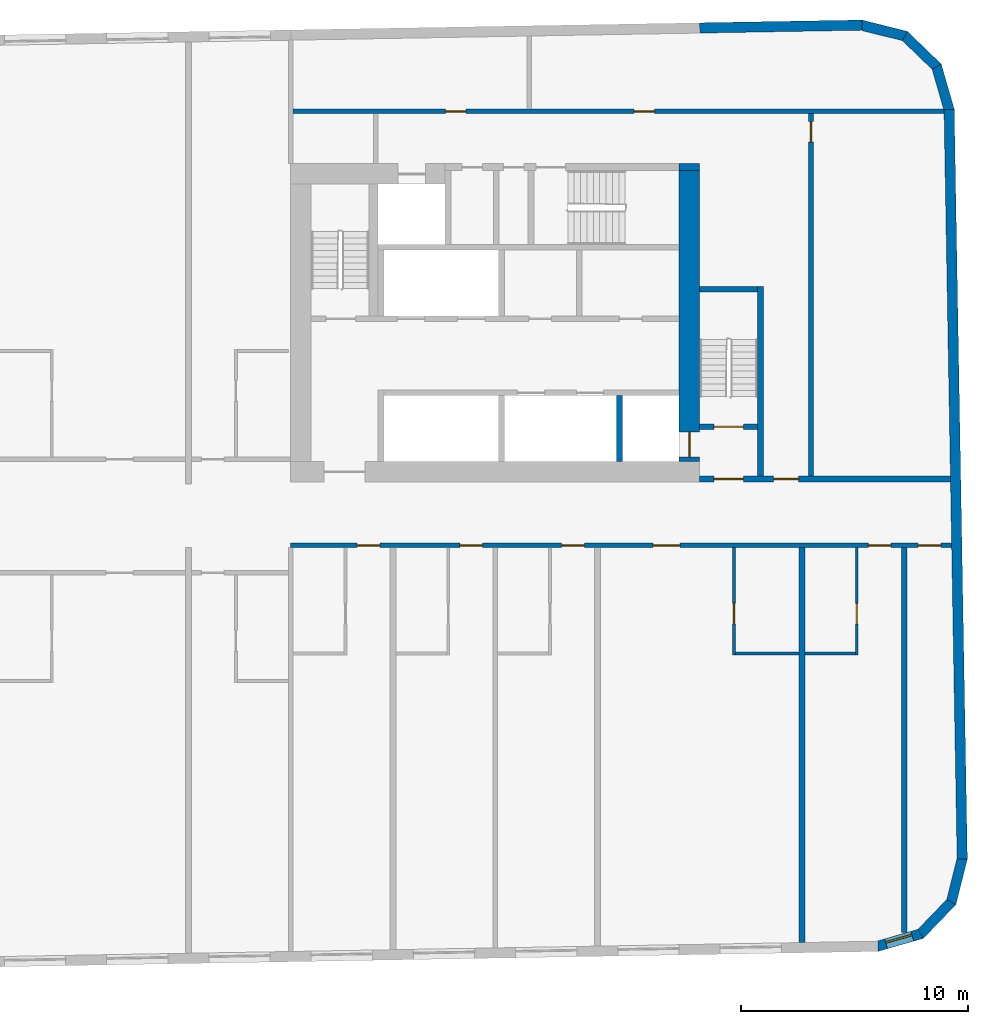
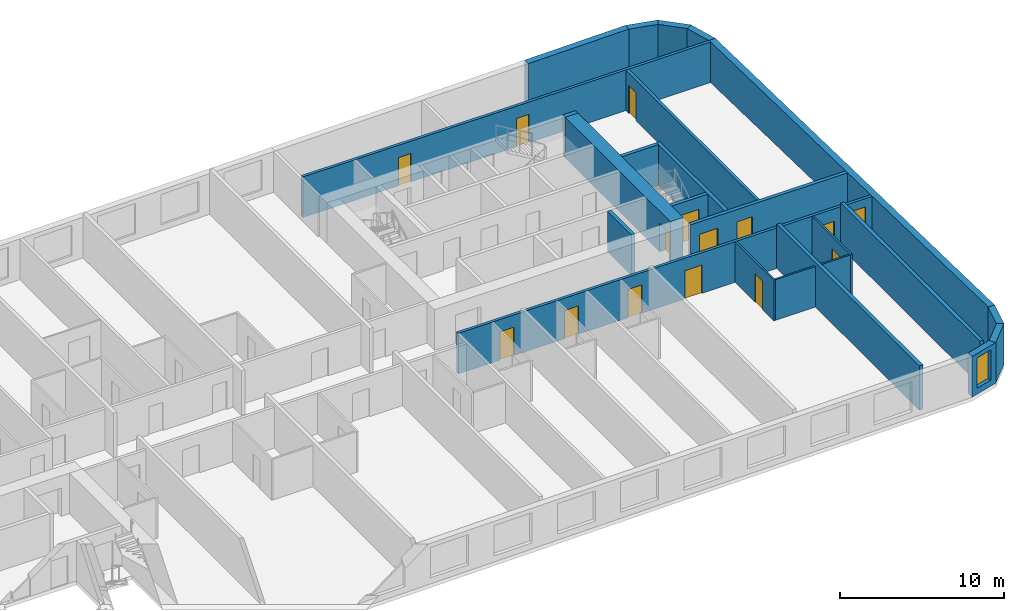
# One storey, part 7 of 11: 24 walls, 15 doors, 1 window, 16 openings.
"""IFC4 building model written with IfcOpenShell, lengths in metres."""

from ifc_helpers import new_model, si_unit, direction, frame, frame_2d, origin, place, context, subcontext, project, spatial, polyline, rectangle, outline, extrude, material, layer, layer_set, type_object, element, fill, save


model = new_model("IFC4")

# Units and contexts
model_context = context("Model", 3, precision=1e-05, world=origin(), true_north=direction((0.0, 1.0)))
body_context = subcontext(model_context, "Body", "Model", "MODEL_VIEW")
ifc_project = project(units=[si_unit("LENGTHUNIT", "METRE"), si_unit("AREAUNIT", "SQUARE_METRE"), si_unit("VOLUMEUNIT", "CUBIC_METRE"), si_unit("PLANEANGLEUNIT", "RADIAN"), si_unit("MASSUNIT", "GRAM", prefix="KILO")], contexts=[model_context])

# Site, building, storey
site_placement = place(None, origin())
site = spatial("IfcSite", under=ifc_project, at=site_placement, CompositionType="ELEMENT")
building_placement = place(site_placement, origin())
building = spatial("IfcBuilding", under=site, at=building_placement, Name="Kajstack Hotel Tower", CompositionType="ELEMENT")
storey_placement = place(building_placement, frame((0.0, 0.0, 250.699951171875)))
storey = spatial("IfcBuildingStorey", under=building, at=storey_placement, Name="L62", CompositionType="ELEMENT", Elevation=250.699951171875)

# Wall
ifc_material_1 = material(Name="Concrete C60/75", Category="concrete")
ifc_layer_1 = layer(ifc_material_1, 0.89990234375)
ifc_layer_set_1 = layer_set([ifc_layer_1], Name="Core wall 900")
wall_type_1 = type_object("IfcWallType", Name="Core wall 900", PredefinedType="SHEAR", material=ifc_layer_set_1)
wall_1_placement = place(storey_placement, frame((30.60009765625, 15.35009765625, 0.0), z_axis=(0.0, 0.0, 1.0), x_axis=(1.0, 0.0, 0.0)))
element("IfcWall", 1, at=wall_1_placement, inside=storey, type_object=wall_type_1, Name="Core wall E RSW", PredefinedType="SHEAR", context=body_context, shape_type="SweptSolid", body=[
    extrude(rectangle(XDim=0.89990234375, YDim=0.300048828125, at=frame_2d((0.449951171875, 0.0))), origin(), (0.0, 0.0, 1.0), 3.02001953125),
])

# Wall, opening, door
wall_2_placement = place(storey_placement, frame((31.050048828125, 2.39990234375, 0.0), z_axis=(0.0, 0.0, 1.0), x_axis=(0.0, 1.0, 0.0)))
wall_2 = element("IfcWall", 2, at=wall_2_placement, inside=storey, type_object=wall_type_1, Name="Core wall E RW", PredefinedType="SHEAR", context=body_context, shape_type="SweptSolid", body=[
    extrude(rectangle(XDim=12.800048828125, YDim=0.89990234375, at=frame_2d((6.39990234375, 0.0))), origin(), (0.0, 0.0, 1.0), 3.02001953125),
])
opening_1_placement = place(wall_2_placement, frame((0.199951171875, 0.0, 0.0)))
opening_1 = element("IfcOpeningElement", 3, at=opening_1_placement, cuts=wall_2, Name="Opening LD-FF2", PredefinedType="OPENING", context=body_context, shape_type="SweptSolid", body=[
    extrude(rectangle(XDim=1.10009765625, YDim=2.10009765625, at=frame_2d((0.550048828125, 1.050048828125))), frame((0.0, 0.4599609375, 0.0), z_axis=(0.0, -1.0, 0.0), x_axis=(1.0, 0.0, 0.0)), (0.0, 0.0, 1.0), 0.919921875),
])
ifc_material_2 = material(Name="Stainless steel", Category="steel")
door_type_1 = type_object("IfcDoorType", Name="Fire-fighting lift landing door 1100", OperationType="SLIDING_TO_LEFT", PredefinedType="DOOR", material=ifc_material_2)
door_1_placement = place(opening_1_placement, origin())
door_1 = element("IfcDoor", 4, at=door_1_placement, inside=storey, type_object=door_type_1, Name="Landing door FF2", OperationType="SLIDING_TO_LEFT", OverallHeight=2.10009765625, OverallWidth=1.10009765625, PredefinedType="DOOR", context=body_context, shape_type="SweptSolid", body=[
    extrude(rectangle(XDim=1.10009765625, YDim=2.10009765625, at=frame_2d((0.550048828125, 1.050048828125))), frame((0.0, 0.02490234375, 0.0), z_axis=(0.0, -1.0, 0.0), x_axis=(1.0, 0.0, 0.0)), (0.0, 0.0, 1.0), 0.050048828125),
])
fill(opening_1, door_1)

# Wall, openings, doors
ifc_material_3 = material(Name="Gypsum board on steel studs, mineral wool", Category="steel")
ifc_layer_2 = layer(ifc_material_3, 0.199951171875)
ifc_layer_set_2 = layer_set([ifc_layer_2], Name="Corridor wall 200")
wall_type_2 = type_object("IfcWallType", Name="Corridor wall 200", PredefinedType="PARTITIONING", material=ifc_layer_set_2)
wall_3_placement = place(storey_placement, frame((13.5, -1.300048828125, 0.0), z_axis=(0.0, 0.0, 1.0), x_axis=(1.0, 0.0, 0.0)))
wall_3 = element("IfcWall", 5, at=wall_3_placement, inside=storey, type_object=wall_type_2, Name="G-wall-L62-029", PredefinedType="PARTITIONING", context=body_context, shape_type="SweptSolid", body=[
    extrude(rectangle(XDim=29.091064453125, YDim=0.199951171875, at=frame_2d((14.54541015625, 0.0))), origin(), (0.0, 0.0, 1.0), 3.02001953125),
])
opening_2_placement = place(wall_3_placement, frame((2.925048828125, 0.0, 0.0)))
opening_2 = element("IfcOpeningElement", 6, at=opening_2_placement, cuts=wall_3, Name="Opening 62029", PredefinedType="OPENING", context=body_context, shape_type="SweptSolid", body=[
    extrude(rectangle(XDim=1.0, YDim=2.10009765625, at=frame_2d((0.5, 1.050048828125))), frame((0.0, 0.10986328125, 0.0), z_axis=(0.0, -1.0, 0.0), x_axis=(1.0, 0.0, 0.0)), (0.0, 0.0, 1.0), 0.219970703125),
])
opening_3_placement = place(wall_3_placement, frame((7.449951171875, 0.0, 0.0)))
opening_3 = element("IfcOpeningElement", 7, at=opening_3_placement, cuts=wall_3, Name="Opening 62031", PredefinedType="OPENING", context=body_context, shape_type="SweptSolid", body=[
    extrude(rectangle(XDim=1.0, YDim=2.10009765625, at=frame_2d((0.5, 1.050048828125))), frame((0.0, 0.10986328125, 0.0), z_axis=(0.0, -1.0, 0.0), x_axis=(1.0, 0.0, 0.0)), (0.0, 0.0, 1.0), 0.219970703125),
])
opening_4_placement = place(wall_3_placement, frame((11.925048828125, 0.0, 0.0)))
opening_4 = element("IfcOpeningElement", 8, at=opening_4_placement, cuts=wall_3, Name="Opening 62033", PredefinedType="OPENING", context=body_context, shape_type="SweptSolid", body=[
    extrude(rectangle(XDim=1.0, YDim=2.10009765625, at=frame_2d((0.5, 1.050048828125))), frame((0.0, 0.10986328125, 0.0), z_axis=(0.0, -1.0, 0.0), x_axis=(1.0, 0.0, 0.0)), (0.0, 0.0, 1.0), 0.219970703125),
])
opening_5_placement = place(wall_3_placement, frame((15.93798828125, 0.0, 0.0)))
opening_5 = element("IfcOpeningElement", 9, at=opening_5_placement, cuts=wall_3, Name="Opening 62035", PredefinedType="OPENING", context=body_context, shape_type="SweptSolid", body=[
    extrude(rectangle(XDim=1.199951171875, YDim=2.10009765625, at=frame_2d((0.60009765625, 1.050048828125))), frame((0.0, 0.10986328125, 0.0), z_axis=(0.0, -1.0, 0.0), x_axis=(1.0, 0.0, 0.0)), (0.0, 0.0, 1.0), 0.219970703125),
])
opening_6_placement = place(wall_3_placement, frame((25.425048828125, 0.0, 0.0)))
opening_6 = element("IfcOpeningElement", 10, at=opening_6_placement, cuts=wall_3, Name="Opening 62037", PredefinedType="OPENING", context=body_context, shape_type="SweptSolid", body=[
    extrude(rectangle(XDim=1.0, YDim=2.10009765625, at=frame_2d((0.5, 1.050048828125))), frame((0.0, 0.10986328125, 0.0), z_axis=(0.0, -1.0, 0.0), x_axis=(1.0, 0.0, 0.0)), (0.0, 0.0, 1.0), 0.219970703125),
])
opening_7_placement = place(wall_3_placement, frame((27.611083984375, 0.0, 0.0)))
opening_7 = element("IfcOpeningElement", 11, at=opening_7_placement, cuts=wall_3, Name="Opening 62039", PredefinedType="OPENING", context=body_context, shape_type="SweptSolid", body=[
    extrude(rectangle(XDim=1.0, YDim=2.39990234375, at=frame_2d((0.5, 1.199951171875))), frame((0.0, 0.10986328125, 0.0), z_axis=(0.0, -1.0, 0.0), x_axis=(1.0, 0.0, 0.0)), (0.0, 0.0, 1.0), 0.219970703125),
])
ifc_material_4 = material(Name="Oak veneer on timber core, fire-rated leaf", Category="wood")
door_type_2 = type_object("IfcDoorType", Name="Flat entrance door 1000", OperationType="SINGLE_SWING_LEFT", PredefinedType="DOOR", material=ifc_material_4)
door_2_placement = place(opening_2_placement, origin())
door_2 = element("IfcDoor", 12, at=door_2_placement, inside=storey, type_object=door_type_2, Name="G-door-L62-29", OperationType="SINGLE_SWING_LEFT", OverallHeight=2.10009765625, OverallWidth=1.0, PredefinedType="DOOR", context=body_context, shape_type="SweptSolid", body=[
    extrude(rectangle(XDim=1.0, YDim=2.10009765625, at=frame_2d((0.5, 1.050048828125))), frame((0.0, 0.02490234375, 0.0), z_axis=(0.0, -1.0, 0.0), x_axis=(1.0, 0.0, 0.0)), (0.0, 0.0, 1.0), 0.050048828125),
])
fill(opening_2, door_2)
door_3_placement = place(opening_3_placement, origin())
door_3 = element("IfcDoor", 13, at=door_3_placement, inside=storey, type_object=door_type_2, Name="G-door-L62-31", OperationType="SINGLE_SWING_LEFT", OverallHeight=2.10009765625, OverallWidth=1.0, PredefinedType="DOOR", context=body_context, shape_type="SweptSolid", body=[
    extrude(rectangle(XDim=1.0, YDim=2.10009765625, at=frame_2d((0.5, 1.050048828125))), frame((0.0, 0.02490234375, 0.0), z_axis=(0.0, -1.0, 0.0), x_axis=(1.0, 0.0, 0.0)), (0.0, 0.0, 1.0), 0.050048828125),
])
fill(opening_3, door_3)
door_4_placement = place(opening_4_placement, origin())
door_4 = element("IfcDoor", 14, at=door_4_placement, inside=storey, type_object=door_type_2, Name="G-door-L62-33", OperationType="SINGLE_SWING_RIGHT", OverallHeight=2.10009765625, OverallWidth=1.0, PredefinedType="DOOR", context=body_context, shape_type="SweptSolid", body=[
    extrude(rectangle(XDim=1.0, YDim=2.10009765625, at=frame_2d((0.5, 1.050048828125))), frame((0.0, 0.02490234375, 0.0), z_axis=(0.0, -1.0, 0.0), x_axis=(1.0, 0.0, 0.0)), (0.0, 0.0, 1.0), 0.050048828125),
])
fill(opening_4, door_4)
door_5_placement = place(opening_6_placement, origin())
door_5 = element("IfcDoor", 15, at=door_5_placement, inside=storey, type_object=door_type_2, Name="G-door-L62-37", OperationType="SINGLE_SWING_LEFT", OverallHeight=2.10009765625, OverallWidth=1.0, PredefinedType="DOOR", context=body_context, shape_type="SweptSolid", body=[
    extrude(rectangle(XDim=1.0, YDim=2.10009765625, at=frame_2d((0.5, 1.050048828125))), frame((0.0, 0.02490234375, 0.0), z_axis=(0.0, -1.0, 0.0), x_axis=(1.0, 0.0, 0.0)), (0.0, 0.0, 1.0), 0.050048828125),
])
fill(opening_6, door_5)
door_type_3 = type_object("IfcDoorType", Name="Flat entrance door 1200", OperationType="SINGLE_SWING_LEFT", PredefinedType="DOOR", material=ifc_material_4)
door_6_placement = place(opening_5_placement, origin())
door_6 = element("IfcDoor", 16, at=door_6_placement, inside=storey, type_object=door_type_3, Name="G-door-L62-35", OperationType="SINGLE_SWING_LEFT", OverallHeight=2.10009765625, OverallWidth=1.199951171875, PredefinedType="DOOR", context=body_context, shape_type="SweptSolid", body=[
    extrude(rectangle(XDim=1.199951171875, YDim=2.10009765625, at=frame_2d((0.60009765625, 1.050048828125))), frame((0.0, 0.02490234375, 0.0), z_axis=(0.0, -1.0, 0.0), x_axis=(1.0, 0.0, 0.0)), (0.0, 0.0, 1.0), 0.050048828125),
])
fill(opening_5, door_6)
ifc_material_5 = material(Name="Steel-faced door leaf, fire-rated", Category="steel")
door_type_4 = type_object("IfcDoorType", Name="Store door 1000", OperationType="SINGLE_SWING_LEFT", PredefinedType="DOOR", material=ifc_material_5)
door_7_placement = place(opening_7_placement, origin())
door_7 = element("IfcDoor", 17, at=door_7_placement, inside=storey, type_object=door_type_4, Name="G-door-L62-39", OperationType="SINGLE_SWING_LEFT", OverallHeight=2.39990234375, OverallWidth=1.0, PredefinedType="DOOR", context=body_context, shape_type="SweptSolid", body=[
    extrude(rectangle(XDim=1.0, YDim=2.39990234375, at=frame_2d((0.5, 1.199951171875))), frame((0.0, 0.02490234375, 0.0), z_axis=(0.0, -1.0, 0.0), x_axis=(1.0, 0.0, 0.0)), (0.0, 0.0, 1.0), 0.050048828125),
])
fill(opening_7, door_7)

# Wall, opening, window
ifc_material_6 = material(Name="Terracotta-faced brick masonry", Category="masonry")
ifc_layer_3 = layer(ifc_material_6, 0.449951171875)
ifc_layer_set_3 = layer_set([ifc_layer_3], Name="EW-TERRA")
wall_type_3 = type_object("IfcWallType", Name="EW-TERRA", PredefinedType="SOLIDWALL", material=ifc_layer_set_3)
wall_4_placement = place(storey_placement, frame((39.290283203125, -18.952392578125, 0.0), z_axis=(0.0, 0.0, 1.0), x_axis=(0.961247584925, 0.275686562016, 0.0)))
wall_4 = element("IfcWall", 18, at=wall_4_placement, inside=storey, type_object=wall_type_3, Name="E-wall-L62-05-00", PredefinedType="SOLIDWALL", context=body_context, shape_type="SweptSolid", body=[
    extrude(outline(polyline([(0.0, -0.224853515625), (2.070556640625, -0.22509765625), (1.949951171875, 0.224853515625), (0.12060546875, 0.22509765625), (0.0, -0.224853515625)])), origin(), (0.0, 0.0, 1.0), 3.02001953125),
])
opening_8_placement = place(wall_4_placement, frame((0.435302734375, 0.0, 0.449951171875)))
opening_8 = element("IfcOpeningElement", 19, at=opening_8_placement, cuts=wall_4, Name="Opening W3", PredefinedType="OPENING", context=body_context, shape_type="SweptSolid", body=[
    extrude(rectangle(XDim=1.199951171875, YDim=2.25, at=frame_2d((0.60009765625, 1.125))), frame((0.0, 0.23486328125, 0.0), z_axis=(0.0, -1.0, 0.0), x_axis=(1.0, 0.0, 0.0)), (0.0, 0.0, 1.0), 0.469970703125),
])
ifc_material_7 = material(Name="Timber-aluminium window, triple glazed", Category="wood")
window_type = type_object("IfcWindowType", Name="WG3", PartitioningType="SINGLE_PANEL", PredefinedType="WINDOW", material=ifc_material_7)
window_placement = place(opening_8_placement, origin())
window = element("IfcWindow", 20, at=window_placement, inside=storey, type_object=window_type, Name="Window W3 L62-05", OverallHeight=2.25, OverallWidth=1.199951171875, PartitioningType="SINGLE_PANEL", PredefinedType="WINDOW", context=body_context, shape_type="SweptSolid", body=[
    extrude(rectangle(XDim=1.199951171875, YDim=2.25, at=frame_2d((0.60009765625, 1.125))), frame((0.0, 0.090087890625, 0.0), z_axis=(0.0, -1.0, 0.0), x_axis=(1.0, 0.0, 0.0)), (0.0, 0.0, 1.0), 0.06005859375),
])
fill(opening_8, window)

# Walls
wall_5_placement = place(storey_placement, frame((41.1806640625, -18.441650390625, 0.0), z_axis=(0.0, 0.0, 1.0), x_axis=(0.694678672846, 0.719320193998, 0.0)))
element("IfcWall", 21, at=wall_5_placement, inside=storey, type_object=wall_type_3, Name="E-wall-L62-06-00", PredefinedType="SOLIDWALL", context=body_context, shape_type="SweptSolid", body=[
    extrude(outline(polyline([(0.0, -0.22509765625), (2.07080078125, -0.224853515625), (1.9501953125, 0.22509765625), (0.12060546875, 0.22509765625), (0.0, -0.22509765625)])), origin(), (0.0, 0.0, 1.0), 3.02001953125),
])
wall_6_placement = place(storey_placement, frame((42.562744140625, -17.053955078125, 0.0), z_axis=(0.0, 0.0, 1.0), x_axis=(0.241841950319, 0.970315655375, 0.0)))
element("IfcWall", 22, at=wall_6_placement, inside=storey, type_object=wall_type_3, Name="E-wall-L62-07-00", PredefinedType="SOLIDWALL", context=body_context, shape_type="SweptSolid", body=[
    extrude(outline(polyline([(0.0, -0.224853515625), (2.070556640625, -0.22509765625), (1.949951171875, 0.224853515625), (0.12060546875, 0.22509765625), (0.0, -0.224853515625)])), origin(), (0.0, 0.0, 1.0), 3.02001953125),
])
wall_7_placement = place(storey_placement, frame((43.056884765625, -15.103271484375, 0.0), z_axis=(0.0, 0.0, 1.0), x_axis=(-0.017452408953, 0.999847695112, 0.0)))
element("IfcWall", 23, at=wall_7_placement, inside=storey, type_object=wall_type_3, Name="E-wall-L62-08-00", PredefinedType="SOLIDWALL", context=body_context, shape_type="SweptSolid", body=[
    extrude(rectangle(XDim=33.0, YDim=0.449951171875, at=frame_2d((16.5, 0.0))), origin(), (0.0, 0.0, 1.0), 3.02001953125),
])
wall_8_placement = place(storey_placement, frame((42.489501953125, 17.83349609375, 0.0), z_axis=(0.0, 0.0, 1.0), x_axis=(-0.275546368831, 0.961287781377, 0.0)))
element("IfcWall", 24, at=wall_8_placement, inside=storey, type_object=wall_type_3, Name="E-wall-L62-09-00", PredefinedType="SOLIDWALL", context=body_context, shape_type="SweptSolid", body=[
    extrude(outline(polyline([(0.0, -0.22509765625), (2.070556640625, -0.224853515625), (1.949951171875, 0.22509765625), (0.12060546875, 0.224853515625), (0.0, -0.22509765625)])), origin(), (0.0, 0.0, 1.0), 3.02001953125),
])
wall_9_placement = place(storey_placement, frame((41.97900390625, 19.72412109375, 0.0), z_axis=(0.0, 0.0, 1.0), x_axis=(-0.719379111448, 0.694617660308, 0.0)))
element("IfcWall", 25, at=wall_9_placement, inside=storey, type_object=wall_type_3, Name="E-wall-L62-10-00", PredefinedType="SOLIDWALL", context=body_context, shape_type="SweptSolid", body=[
    extrude(outline(polyline([(0.0, -0.224853515625), (2.070556640625, -0.22509765625), (1.949951171875, 0.224853515625), (0.12060546875, 0.22509765625), (0.0, -0.224853515625)])), origin(), (0.0, 0.0, 1.0), 3.02001953125),
])
wall_10_placement = place(storey_placement, frame((40.59130859375, 21.10595703125, 0.0), z_axis=(0.0, 0.0, 1.0), x_axis=(-0.970287979719, 0.241952963225, 0.0)))
element("IfcWall", 26, at=wall_10_placement, inside=storey, type_object=wall_type_3, Name="E-wall-L62-11-00", PredefinedType="SOLIDWALL", context=body_context, shape_type="SweptSolid", body=[
    extrude(outline(polyline([(0.0, -0.22509765625), (2.070556640625, -0.224853515625), (1.949951171875, 0.22509765625), (0.12060546875, 0.224853515625), (0.0, -0.22509765625)])), origin(), (0.0, 0.0, 1.0), 3.02001953125),
])
wall_11_placement = place(storey_placement, frame((38.640625, 21.600341796875, 0.0), z_axis=(0.0, 0.0, 1.0), x_axis=(-0.999847245074, -0.017478172627, 0.0)))
element("IfcWall", 27, at=wall_11_placement, inside=storey, type_object=wall_type_3, Name="E-wall-L62-12-00", PredefinedType="SOLIDWALL", context=body_context, shape_type="SweptSolid", body=[
    extrude(rectangle(XDim=7.1376953125, YDim=0.449951171875, at=frame_2d((3.56884765625, 0.0))), origin(), (0.0, 0.0, 1.0), 3.02001953125),
])

# Wall, opening, door
ifc_material_8 = material(Name="Gypsum board and tiled backer on steel studs", Category="steel")
ifc_layer_4 = layer(ifc_material_8, 0.125)
ifc_layer_set_4 = layer_set([ifc_layer_4], Name="En-suite wall 125")
wall_type_4 = type_object("IfcWallType", Name="En-suite wall 125", PredefinedType="PARTITIONING", material=ifc_layer_set_4)
wall_12_placement = place(storey_placement, frame((33.012939453125, -6.125, 0.0), z_axis=(0.0, 0.0, 1.0), x_axis=(0.0, 1.0, 0.0)))
wall_12 = element("IfcWall", 28, at=wall_12_placement, inside=storey, type_object=wall_type_4, Name="G-wall-L62-046", PredefinedType="PARTITIONING", context=body_context, shape_type="SweptSolid", body=[
    extrude(rectangle(XDim=4.72509765625, YDim=0.125, at=frame_2d((2.362548828125, 0.0))), origin(), (0.0, 0.0, 1.0), 3.02001953125),
])
opening_9_placement = place(wall_12_placement, frame((1.375, 0.0, 0.0)))
opening_9 = element("IfcOpeningElement", 29, at=opening_9_placement, cuts=wall_12, Name="Opening 62036", PredefinedType="OPENING", context=body_context, shape_type="SweptSolid", body=[
    extrude(rectangle(XDim=0.89990234375, YDim=2.10009765625, at=frame_2d((0.449951171875, 1.050048828125))), frame((0.0, 0.072509765625, 0.0), z_axis=(0.0, -1.0, 0.0), x_axis=(1.0, 0.0, 0.0)), (0.0, 0.0, 1.0), 0.14501953125),
])
ifc_material_9 = material(Name="Painted timber door leaf", Category="wood")
door_type_5 = type_object("IfcDoorType", Name="Room door 900", OperationType="SINGLE_SWING_LEFT", PredefinedType="DOOR", material=ifc_material_9)
door_8_placement = place(opening_9_placement, origin())
door_8 = element("IfcDoor", 30, at=door_8_placement, inside=storey, type_object=door_type_5, Name="G-door-L62-36", OperationType="SINGLE_SWING_RIGHT", OverallHeight=2.10009765625, OverallWidth=0.89990234375, PredefinedType="DOOR", context=body_context, shape_type="SweptSolid", body=[
    extrude(rectangle(XDim=0.89990234375, YDim=2.10009765625, at=frame_2d((0.449951171875, 1.050048828125))), frame((0.0, 0.02490234375, 0.0), z_axis=(0.0, -1.0, 0.0), x_axis=(1.0, 0.0, 0.0)), (0.0, 0.0, 1.0), 0.050048828125),
])
fill(opening_9, door_8)

# Wall
wall_13_placement = place(storey_placement, frame((33.074951171875, -6.06201171875, 0.0), z_axis=(0.0, 0.0, 1.0), x_axis=(1.0, 0.0, 0.0)))
element("IfcWall", 31, at=wall_13_placement, inside=storey, type_object=wall_type_4, Name="G-wall-L62-047", PredefinedType="PARTITIONING", context=body_context, shape_type="SweptSolid", body=[
    extrude(rectangle(XDim=2.800048828125, YDim=0.125, at=frame_2d((1.39990234375, 0.0))), origin(), (0.0, 0.0, 1.0), 3.02001953125),
])

# Wall, opening, door
wall_14_placement = place(storey_placement, frame((38.4130859375, -6.125, 0.0), z_axis=(0.0, 0.0, 1.0), x_axis=(0.0, 1.0, 0.0)))
wall_14 = element("IfcWall", 32, at=wall_14_placement, inside=storey, type_object=wall_type_4, Name="G-wall-L62-048", PredefinedType="PARTITIONING", context=body_context, shape_type="SweptSolid", body=[
    extrude(rectangle(XDim=4.72509765625, YDim=0.125, at=frame_2d((2.362548828125, 0.0))), origin(), (0.0, 0.0, 1.0), 3.02001953125),
])
opening_10_placement = place(wall_14_placement, frame((1.375, 0.0, 0.0)))
opening_10 = element("IfcOpeningElement", 33, at=opening_10_placement, cuts=wall_14, Name="Opening 62038", PredefinedType="OPENING", context=body_context, shape_type="SweptSolid", body=[
    extrude(rectangle(XDim=0.89990234375, YDim=2.10009765625, at=frame_2d((0.449951171875, 1.050048828125))), frame((0.0, 0.072509765625, 0.0), z_axis=(0.0, -1.0, 0.0), x_axis=(1.0, 0.0, 0.0)), (0.0, 0.0, 1.0), 0.14501953125),
])
door_9_placement = place(opening_10_placement, origin())
door_9 = element("IfcDoor", 34, at=door_9_placement, inside=storey, type_object=door_type_5, Name="G-door-L62-38", OperationType="SINGLE_SWING_LEFT", OverallHeight=2.10009765625, OverallWidth=0.89990234375, PredefinedType="DOOR", context=body_context, shape_type="SweptSolid", body=[
    extrude(rectangle(XDim=0.89990234375, YDim=2.10009765625, at=frame_2d((0.449951171875, 1.050048828125))), frame((0.0, 0.02490234375, 0.0), z_axis=(0.0, -1.0, 0.0), x_axis=(1.0, 0.0, 0.0)), (0.0, 0.0, 1.0), 0.050048828125),
])
fill(opening_10, door_9)

# Walls
wall_15_placement = place(storey_placement, frame((36.125, -6.06201171875, 0.0), z_axis=(0.0, 0.0, 1.0), x_axis=(1.0, 0.0, 0.0)))
element("IfcWall", 35, at=wall_15_placement, inside=storey, type_object=wall_type_4, Name="G-wall-L62-049", PredefinedType="PARTITIONING", context=body_context, shape_type="SweptSolid", body=[
    extrude(rectangle(XDim=2.22509765625, YDim=0.125, at=frame_2d((1.112548828125, 0.0))), origin(), (0.0, 0.0, 1.0), 3.02001953125),
])
ifc_material_10 = material(Name="Concrete C45/55", Category="concrete")
ifc_layer_5 = layer(ifc_material_10, 0.25)
ifc_layer_set_5 = layer_set([ifc_layer_5], Name="RC cross wall 250 C45/55")
wall_type_5 = type_object("IfcWallType", Name="RC cross wall 250 C45/55", PredefinedType="SHEAR", material=ifc_layer_set_5)
wall_16_placement = place(storey_placement, frame((36.0, -18.764892578125, 0.0), z_axis=(0.0, 0.0, 1.0), x_axis=(0.0, 1.0, 0.0)))
element("IfcWall", 36, at=wall_16_placement, inside=storey, type_object=wall_type_5, Name="S-wall-L62-12", PredefinedType="SHEAR", context=body_context, shape_type="SweptSolid", body=[
    extrude(rectangle(XDim=17.364990234375, YDim=0.25, at=frame_2d((8.6826171875, 0.0))), origin(), (0.0, 0.0, 1.0), 3.300048828125),
])
wall_17_placement = place(storey_placement, frame((40.5, -18.3251953125, 0.0), z_axis=(0.0, 0.0, 1.0), x_axis=(0.0, 1.0, 0.0)))
element("IfcWall", 37, at=wall_17_placement, inside=storey, type_object=wall_type_5, Name="S-wall-L62-13", PredefinedType="SHEAR", context=body_context, shape_type="SweptSolid", body=[
    extrude(rectangle(XDim=16.92529296875, YDim=0.25, at=frame_2d((8.462646484375, 0.0))), origin(), (0.0, 0.0, 1.0), 3.300048828125),
])

# Wall, openings, doors
ifc_layer_6 = layer(ifc_material_3, 0.199951171875)
ifc_layer_set_6 = layer_set([ifc_layer_6], Name="Service partition 200")
wall_type_6 = type_object("IfcWallType", Name="Service partition 200", PredefinedType="PARTITIONING", material=ifc_layer_set_6)
wall_18_placement = place(storey_placement, frame((31.5, 1.625, 0.0), z_axis=(0.0, 0.0, 1.0), x_axis=(1.0, 0.0, 0.0)))
wall_18 = element("IfcWall", 38, at=wall_18_placement, inside=storey, type_object=wall_type_6, Name="Partition E SN", PredefinedType="PARTITIONING", context=body_context, shape_type="SweptSolid", body=[
    extrude(rectangle(XDim=11.039794921875, YDim=0.25, at=frame_2d((5.52001953125, 0.0))), origin(), (0.0, 0.0, 1.0), 3.02001953125),
])
opening_11_placement = place(wall_18_placement, frame((0.625, 0.0, 0.0)))
opening_11 = element("IfcOpeningElement", 39, at=opening_11_placement, cuts=wall_18, Name="Opening 62E08", PredefinedType="OPENING", context=body_context, shape_type="SweptSolid", body=[
    extrude(rectangle(XDim=1.300048828125, YDim=2.10009765625, at=frame_2d((0.64990234375, 1.050048828125))), frame((0.0, 0.135009765625, 0.0), z_axis=(0.0, -1.0, 0.0), x_axis=(1.0, 0.0, 0.0)), (0.0, 0.0, 1.0), 0.27001953125),
])
opening_12_placement = place(wall_18_placement, frame((3.25, 0.0, 0.0)))
opening_12 = element("IfcOpeningElement", 40, at=opening_12_placement, cuts=wall_18, Name="Opening 62E10", PredefinedType="OPENING", context=body_context, shape_type="SweptSolid", body=[
    extrude(rectangle(XDim=1.10009765625, YDim=2.10009765625, at=frame_2d((0.550048828125, 1.050048828125))), frame((0.0, 0.135009765625, 0.0), z_axis=(0.0, -1.0, 0.0), x_axis=(1.0, 0.0, 0.0)), (0.0, 0.0, 1.0), 0.27001953125),
])
ifc_material_11 = material(Name="Steel leaf, fire-rated", Category="steel")
door_type_6 = type_object("IfcDoorType", Name="Fire lobby door 1300", OperationType="SINGLE_SWING_LEFT", PredefinedType="DOOR", material=ifc_material_11)
door_10_placement = place(opening_11_placement, origin())
door_10 = element("IfcDoor", 41, at=door_10_placement, inside=storey, type_object=door_type_6, Name="Door 62E08", OperationType="SINGLE_SWING_LEFT", OverallHeight=2.10009765625, OverallWidth=1.300048828125, PredefinedType="DOOR", context=body_context, shape_type="SweptSolid", body=[
    extrude(rectangle(XDim=1.300048828125, YDim=2.10009765625, at=frame_2d((0.64990234375, 1.050048828125))), frame((0.0, 0.02490234375, 0.0), z_axis=(0.0, -1.0, 0.0), x_axis=(1.0, 0.0, 0.0)), (0.0, 0.0, 1.0), 0.050048828125),
])
fill(opening_11, door_10)
ifc_material_12 = material(Name="Timber leaf, fire-rated", Category="wood")
door_type_7 = type_object("IfcDoorType", Name="Service corridor door 1100", OperationType="SINGLE_SWING_LEFT", PredefinedType="DOOR", material=ifc_material_12)
door_11_placement = place(opening_12_placement, origin())
door_11 = element("IfcDoor", 42, at=door_11_placement, inside=storey, type_object=door_type_7, Name="Door 62E10", OperationType="SINGLE_SWING_LEFT", OverallHeight=2.10009765625, OverallWidth=1.10009765625, PredefinedType="DOOR", context=body_context, shape_type="SweptSolid", body=[
    extrude(rectangle(XDim=1.10009765625, YDim=2.10009765625, at=frame_2d((0.550048828125, 1.050048828125))), frame((0.0, 0.02490234375, 0.0), z_axis=(0.0, -1.0, 0.0), x_axis=(1.0, 0.0, 0.0)), (0.0, 0.0, 1.0), 0.050048828125),
])
fill(opening_12, door_11)

# Wall, opening, door
wall_19_placement = place(storey_placement, frame((36.39990234375, 1.75, 0.0), z_axis=(0.0, 0.0, 1.0), x_axis=(0.0, 1.0, 0.0)))
wall_19 = element("IfcWall", 43, at=wall_19_placement, inside=storey, type_object=wall_type_6, Name="Partition E WRE", PredefinedType="PARTITIONING", context=body_context, shape_type="SweptSolid", body=[
    extrude(rectangle(XDim=15.949951171875, YDim=0.199951171875, at=frame_2d((7.97509765625, 0.0))), origin(), (0.0, 0.0, 1.0), 3.02001953125),
])
opening_13_placement = place(wall_19_placement, frame((14.699951171875, 0.0, 0.0)))
opening_13 = element("IfcOpeningElement", 44, at=opening_13_placement, cuts=wall_19, Name="Opening 62E19", PredefinedType="OPENING", context=body_context, shape_type="SweptSolid", body=[
    extrude(rectangle(XDim=0.89990234375, YDim=2.10009765625, at=frame_2d((0.449951171875, 1.050048828125))), frame((0.0, 0.10986328125, 0.0), z_axis=(0.0, -1.0, 0.0), x_axis=(1.0, 0.0, 0.0)), (0.0, 0.0, 1.0), 0.219970703125),
])
door_type_8 = type_object("IfcDoorType", Name="Service door 900", OperationType="SINGLE_SWING_LEFT", PredefinedType="DOOR", material=ifc_material_12)
door_12_placement = place(opening_13_placement, origin())
door_12 = element("IfcDoor", 45, at=door_12_placement, inside=storey, type_object=door_type_8, Name="Door 62E19", OperationType="SINGLE_SWING_RIGHT", OverallHeight=2.10009765625, OverallWidth=0.89990234375, PredefinedType="DOOR", context=body_context, shape_type="SweptSolid", body=[
    extrude(rectangle(XDim=0.89990234375, YDim=2.10009765625, at=frame_2d((0.449951171875, 1.050048828125))), frame((0.0, 0.02490234375, 0.0), z_axis=(0.0, -1.0, 0.0), x_axis=(1.0, 0.0, 0.0)), (0.0, 0.0, 1.0), 0.050048828125),
])
fill(opening_13, door_12)

# Wall, openings, doors
wall_20_placement = place(storey_placement, frame((13.60009765625, 17.800048828125, 0.0), z_axis=(0.0, 0.0, 1.0), x_axis=(1.0, 0.0, 0.0)))
wall_20 = element("IfcWall", 46, at=wall_20_placement, inside=storey, type_object=wall_type_6, Name="Partition E SLN", PredefinedType="PARTITIONING", context=body_context, shape_type="SweptSolid", body=[
    extrude(rectangle(XDim=28.657470703125, YDim=0.199951171875, at=frame_2d((14.32861328125, 0.0))), origin(), (0.0, 0.0, 1.0), 3.02001953125),
])
opening_14_placement = place(wall_20_placement, frame((15.012451171875, 0.0, 0.0)))
opening_14 = element("IfcOpeningElement", 47, at=opening_14_placement, cuts=wall_20, Name="Opening 62E17", PredefinedType="OPENING", context=body_context, shape_type="SweptSolid", body=[
    extrude(rectangle(XDim=0.89990234375, YDim=2.10009765625, at=frame_2d((0.449951171875, 1.050048828125))), frame((0.0, 0.10986328125, 0.0), z_axis=(0.0, -1.0, 0.0), x_axis=(1.0, 0.0, 0.0)), (0.0, 0.0, 1.0), 0.219970703125),
])
opening_15_placement = place(wall_20_placement, frame((6.71240234375, 0.0, 0.0)))
opening_15 = element("IfcOpeningElement", 48, at=opening_15_placement, cuts=wall_20, Name="Opening 62E18", PredefinedType="OPENING", context=body_context, shape_type="SweptSolid", body=[
    extrude(rectangle(XDim=0.89990234375, YDim=2.10009765625, at=frame_2d((0.449951171875, 1.050048828125))), frame((0.0, 0.10986328125, 0.0), z_axis=(0.0, -1.0, 0.0), x_axis=(1.0, 0.0, 0.0)), (0.0, 0.0, 1.0), 0.219970703125),
])
door_13_placement = place(opening_14_placement, origin())
door_13 = element("IfcDoor", 49, at=door_13_placement, inside=storey, type_object=door_type_8, Name="Door 62E17", OperationType="SINGLE_SWING_LEFT", OverallHeight=2.10009765625, OverallWidth=0.89990234375, PredefinedType="DOOR", context=body_context, shape_type="SweptSolid", body=[
    extrude(rectangle(XDim=0.89990234375, YDim=2.10009765625, at=frame_2d((0.449951171875, 1.050048828125))), frame((0.0, 0.02490234375, 0.0), z_axis=(0.0, -1.0, 0.0), x_axis=(1.0, 0.0, 0.0)), (0.0, 0.0, 1.0), 0.050048828125),
])
fill(opening_14, door_13)
door_14_placement = place(opening_15_placement, origin())
door_14 = element("IfcDoor", 50, at=door_14_placement, inside=storey, type_object=door_type_8, Name="Door 62E18", OperationType="SINGLE_SWING_LEFT", OverallHeight=2.10009765625, OverallWidth=0.89990234375, PredefinedType="DOOR", context=body_context, shape_type="SweptSolid", body=[
    extrude(rectangle(XDim=0.89990234375, YDim=2.10009765625, at=frame_2d((0.449951171875, 1.050048828125))), frame((0.0, 0.02490234375, 0.0), z_axis=(0.0, -1.0, 0.0), x_axis=(1.0, 0.0, 0.0)), (0.0, 0.0, 1.0), 0.050048828125),
])
fill(opening_15, door_14)

# Wall
ifc_material_13 = material(Name="Concrete C50/60", Category="concrete")
ifc_layer_7 = layer(ifc_material_13, 0.25)
ifc_layer_set_7 = layer_set([ifc_layer_7], Name="Shaft wall 250")
wall_type_7 = type_object("IfcWallType", Name="Shaft wall 250", PredefinedType="SHEAR", material=ifc_layer_set_7)
wall_21_placement = place(storey_placement, frame((27.97509765625, 2.39990234375, 0.0), z_axis=(0.0, 0.0, 1.0), x_axis=(0.0, 1.0, 0.0)))
element("IfcWall", 51, at=wall_21_placement, inside=storey, type_object=wall_type_7, Name="Core wall E AP0", PredefinedType="SHEAR", context=body_context, shape_type="SweptSolid", body=[
    extrude(rectangle(XDim=2.900146484375, YDim=0.25, at=frame_2d((1.4501953125, 0.0))), origin(), (0.0, 0.0, 1.0), 3.02001953125),
])

# Wall, opening, door
ifc_material_14 = material(Name="Concrete C40/50", Category="concrete")
ifc_layer_8 = layer(ifc_material_14, 0.25)
ifc_layer_set_8 = layer_set([ifc_layer_8], Name="Stair enclosure wall 250")
wall_type_8 = type_object("IfcWallType", Name="Stair enclosure wall 250", PredefinedType="SHEAR", material=ifc_layer_set_8)
wall_22_placement = place(storey_placement, frame((31.5, 3.925048828125, 0.0), z_axis=(0.0, 0.0, 1.0), x_axis=(1.0, 0.0, 0.0)))
wall_22 = element("IfcWall", 52, at=wall_22_placement, inside=storey, type_object=wall_type_8, Name="Core wall E W1N", PredefinedType="SHEAR", context=body_context, shape_type="SweptSolid", body=[
    extrude(rectangle(XDim=2.550048828125, YDim=0.25, at=frame_2d((1.27490234375, 0.0))), origin(), (0.0, 0.0, 1.0), 3.02001953125),
])
opening_16_placement = place(wall_22_placement, frame((0.625, 0.0, 0.0)))
opening_16 = element("IfcOpeningElement", 53, at=opening_16_placement, cuts=wall_22, Name="Opening 62E09", PredefinedType="OPENING", context=body_context, shape_type="SweptSolid", body=[
    extrude(rectangle(XDim=1.300048828125, YDim=2.10009765625, at=frame_2d((0.64990234375, 1.050048828125))), frame((0.0, 0.135009765625, 0.0), z_axis=(0.0, -1.0, 0.0), x_axis=(1.0, 0.0, 0.0)), (0.0, 0.0, 1.0), 0.27001953125),
])
door_type_9 = type_object("IfcDoorType", Name="Stair door 1300", OperationType="SINGLE_SWING_LEFT", PredefinedType="DOOR", material=ifc_material_11)
door_15_placement = place(opening_16_placement, origin())
door_15 = element("IfcDoor", 54, at=door_15_placement, inside=storey, type_object=door_type_9, Name="Door 62E09", OperationType="SINGLE_SWING_LEFT", OverallHeight=2.10009765625, OverallWidth=1.300048828125, PredefinedType="DOOR", context=body_context, shape_type="SweptSolid", body=[
    extrude(rectangle(XDim=1.300048828125, YDim=2.10009765625, at=frame_2d((0.64990234375, 1.050048828125))), frame((0.0, 0.02490234375, 0.0), z_axis=(0.0, -1.0, 0.0), x_axis=(1.0, 0.0, 0.0)), (0.0, 0.0, 1.0), 0.050048828125),
])
fill(opening_16, door_15)

# Walls
wall_23_placement = place(storey_placement, frame((34.175048828125, 1.75, 0.0), z_axis=(0.0, 0.0, 1.0), x_axis=(0.0, 1.0, 0.0)))
element("IfcWall", 55, at=wall_23_placement, inside=storey, type_object=wall_type_8, Name="Core wall E W1W", PredefinedType="SHEAR", context=body_context, shape_type="SweptSolid", body=[
    extrude(rectangle(XDim=8.35009765625, YDim=0.25, at=frame_2d((4.175048828125, 0.0))), origin(), (0.0, 0.0, 1.0), 3.02001953125),
])
wall_24_placement = place(storey_placement, frame((31.5, 9.97509765625, 0.0), z_axis=(0.0, 0.0, 1.0), x_axis=(1.0, 0.0, 0.0)))
element("IfcWall", 56, at=wall_24_placement, inside=storey, type_object=wall_type_8, Name="Core wall E W1S", PredefinedType="SHEAR", context=body_context, shape_type="SweptSolid", body=[
    extrude(rectangle(XDim=2.550048828125, YDim=0.25, at=frame_2d((1.27490234375, 0.0))), origin(), (0.0, 0.0, 1.0), 3.02001953125),
])

save(model, "model.ifc")
